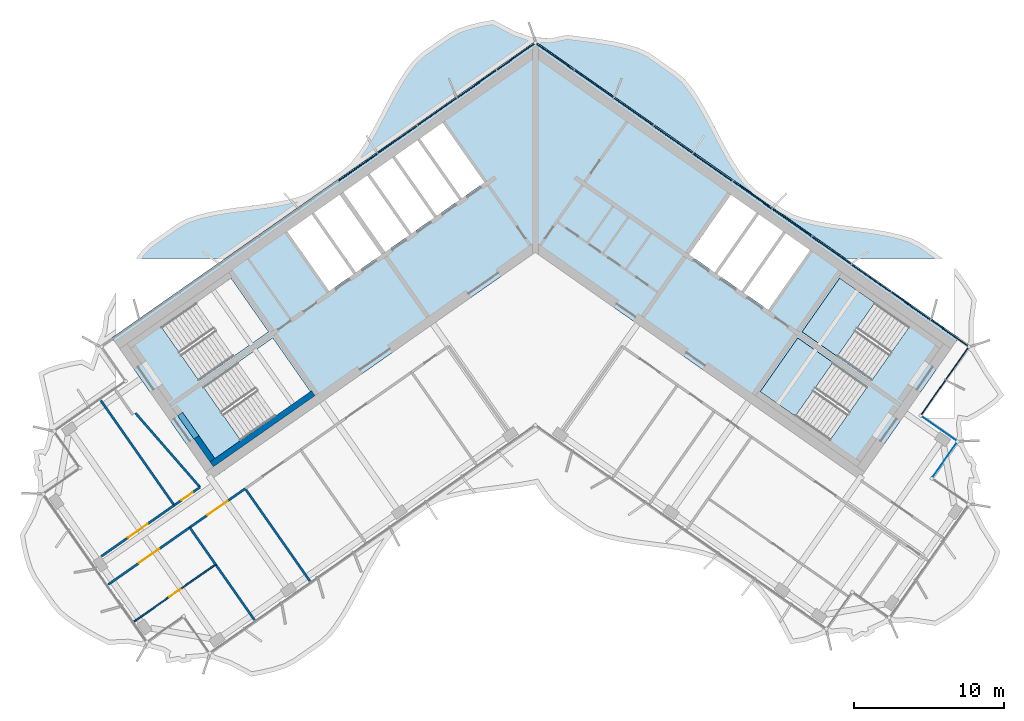
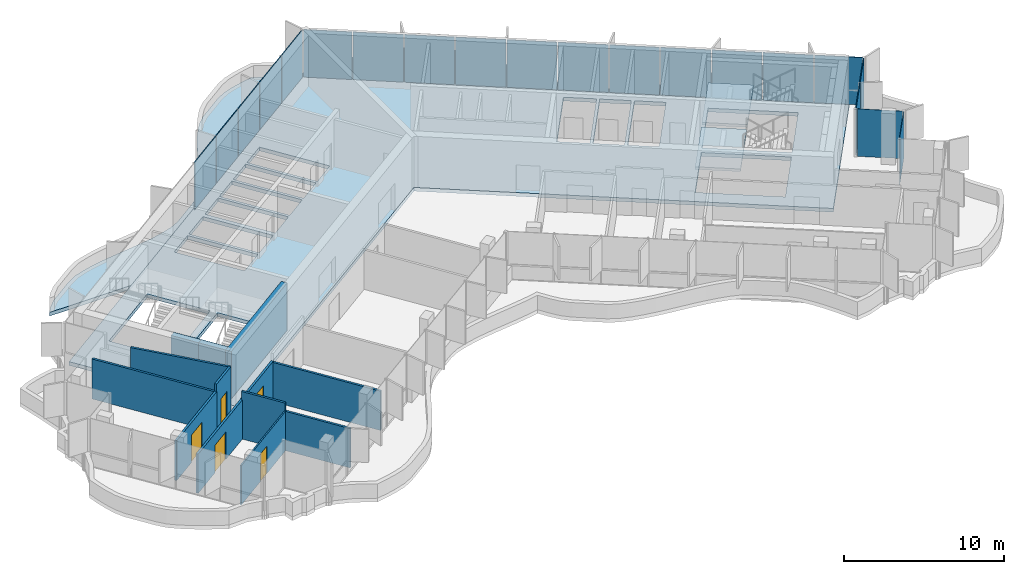
# One storey, part 8 of 17: 20 plates, 13 walls, 5 doors, 4 slabs, 5 openings, 4 elements without a shape of their own.
"""IFC4 building model written with IfcOpenShell, lengths in metres."""

from ifc_helpers import new_model, si_unit, direction, frame, frame_2d, origin, origin_2d, place, context, subcontext, project, spatial, polyline, rectangle, outline, extrude, material, layer, layer_set, type_object, element, fill, aggregate, save


model = new_model("IFC4")

# Units and contexts
model_context = context("Model", 3, precision=1e-05, world=origin(), true_north=direction((0.0, 1.0)))
body_context = subcontext(model_context, "Body", "Model", "MODEL_VIEW")
ifc_project = project(units=[si_unit("LENGTHUNIT", "METRE"), si_unit("AREAUNIT", "SQUARE_METRE"), si_unit("VOLUMEUNIT", "CUBIC_METRE"), si_unit("PLANEANGLEUNIT", "RADIAN"), si_unit("MASSUNIT", "GRAM", prefix="KILO")], contexts=[model_context])

# Site, building, storey
site_placement = place(None, origin())
site = spatial("IfcSite", under=ifc_project, at=site_placement, CompositionType="ELEMENT")
building_placement = place(site_placement, origin())
building = spatial("IfcBuilding", under=site, at=building_placement, Name="Tel Ilan Convention Tower", CompositionType="ELEMENT")
storey_placement = place(building_placement, frame((0.0, 0.0, 276.10009765625)))
storey = spatial("IfcBuildingStorey", under=building, at=storey_placement, Name="L65", CompositionType="ELEMENT", Elevation=276.10009765625)

# Curtain wall, plates
ifc_material_1 = material(Name="Aluminium, bronze anodised", Category="aluminium")
curtain_wall_type_1 = type_object("IfcCurtainWallType", Name="CW2 STICK CURTAIN WALL, SPANDREL PANELS", PredefinedType="NOTDEFINED", material=ifc_material_1)
curtain_wall_1_placement = place(storey_placement, origin())
curtain_wall_1 = element("IfcCurtainWall", 1, at=curtain_wall_1_placement, inside=storey, type_object=curtain_wall_type_1, Name="Curtain wall CW2-50.01", PredefinedType="NOTDEFINED")
ifc_material_2 = material(Name="Aluminium composite panel, bronze anodised", Category="aluminium")
ifc_layer_1 = layer(ifc_material_2, 0.06005859375)
ifc_layer_set_1 = layer_set([ifc_layer_1], Name="CW SPANDREL PANEL 60")
plate_type_1 = type_object("IfcPlateType", Name="CW SPANDREL PANEL 60", PredefinedType="CURTAIN_PANEL", material=ifc_layer_set_1)
plate_1_placement = place(storey_placement, frame((26.45947265625, -10.85400390625, -0.000244140625), z_axis=(0.0, 0.0, 1.0), x_axis=(0.573576436351, 0.819152044289, 0.0)))
plate_1 = element("IfcPlate", 2, at=plate_1_placement, type_object=plate_type_1, Name="Spandrel panel", PredefinedType="CURTAIN_PANEL", context=body_context, shape_type="SweptSolid", body=[
    extrude(rectangle(XDim=2.76904296875, YDim=0.06005859375, at=origin_2d()), origin(), (0.0, 0.0, 1.0), 3.6201171875),
])
plate_2_placement = place(storey_placement, frame((28.042236328125, -8.593505859375, -0.000244140625), z_axis=(0.0, 0.0, 1.0), x_axis=(0.573576436351, 0.819152044289, 0.0)))
plate_2 = element("IfcPlate", 3, at=plate_2_placement, type_object=plate_type_1, Name="Spandrel panel", PredefinedType="CURTAIN_PANEL", context=body_context, shape_type="SweptSolid", body=[
    extrude(rectangle(XDim=2.6298828125, YDim=0.06005859375, at=origin_2d()), origin(), (0.0, 0.0, 1.0), 3.6201171875),
])
plate_3_placement = place(storey_placement, frame((27.5400390625, -6.587646484375, -0.000244140625), z_axis=(0.0, 0.0, 1.0), x_axis=(-0.819152044289, 0.573576436351, 0.0)))
plate_3 = element("IfcPlate", 4, at=plate_3_placement, type_object=plate_type_1, Name="Spandrel panel", PredefinedType="CURTAIN_PANEL", context=body_context, shape_type="SweptSolid", body=[
    extrude(rectangle(XDim=3.0439453125, YDim=0.06005859375, at=origin_2d()), origin(), (0.0, 0.0, 1.0), 3.6201171875),
])
plate_4_placement = place(storey_placement, frame((24.95263671875, -4.77587890625, -0.000244140625), z_axis=(0.0, 0.0, 1.0), x_axis=(-0.819152044289, 0.573576436351, 0.0)))
plate_4 = element("IfcPlate", 5, at=plate_4_placement, type_object=plate_type_1, Name="Spandrel panel", PredefinedType="CURTAIN_PANEL", context=body_context, shape_type="SweptSolid", body=[
    extrude(rectangle(XDim=3.15380859375, YDim=0.06005859375, at=origin_2d()), origin(), (0.0, 0.0, 1.0), 3.6201171875),
])
plate_5_placement = place(storey_placement, frame((22.31982421875, -2.9326171875, -0.000244140625), z_axis=(0.0, 0.0, 1.0), x_axis=(-0.819152044289, 0.573576436351, 0.0)))
plate_5 = element("IfcPlate", 6, at=plate_5_placement, type_object=plate_type_1, Name="Spandrel panel", PredefinedType="CURTAIN_PANEL", context=body_context, shape_type="SweptSolid", body=[
    extrude(rectangle(XDim=3.15380859375, YDim=0.06005859375, at=origin_2d()), origin(), (0.0, 0.0, 1.0), 3.6201171875),
])
plate_6_placement = place(storey_placement, frame((19.687255859375, -1.089111328125, -0.000244140625), z_axis=(0.0, 0.0, 1.0), x_axis=(-0.819152044289, 0.573576436351, 0.0)))
plate_6 = element("IfcPlate", 7, at=plate_6_placement, type_object=plate_type_1, Name="Spandrel panel", PredefinedType="CURTAIN_PANEL", context=body_context, shape_type="SweptSolid", body=[
    extrude(rectangle(XDim=3.15380859375, YDim=0.06005859375, at=origin_2d()), origin(), (0.0, 0.0, 1.0), 3.6201171875),
])
plate_7_placement = place(storey_placement, frame((17.0546875, 0.754150390625, -0.000244140625), z_axis=(0.0, 0.0, 1.0), x_axis=(-0.819152044289, 0.573576436351, 0.0)))
plate_7 = element("IfcPlate", 8, at=plate_7_placement, type_object=plate_type_1, Name="Spandrel panel", PredefinedType="CURTAIN_PANEL", context=body_context, shape_type="SweptSolid", body=[
    extrude(rectangle(XDim=3.15380859375, YDim=0.06005859375, at=origin_2d()), origin(), (0.0, 0.0, 1.0), 3.6201171875),
])
plate_8_placement = place(storey_placement, frame((14.422119140625, 2.59765625, -0.000244140625), z_axis=(0.0, 0.0, 1.0), x_axis=(-0.819152044289, 0.573576436351, 0.0)))
plate_8 = element("IfcPlate", 9, at=plate_8_placement, type_object=plate_type_1, Name="Spandrel panel", PredefinedType="CURTAIN_PANEL", context=body_context, shape_type="SweptSolid", body=[
    extrude(rectangle(XDim=3.15380859375, YDim=0.06005859375, at=origin_2d()), origin(), (0.0, 0.0, 1.0), 3.6201171875),
])
plate_9_placement = place(storey_placement, frame((11.789306640625, 4.44091796875, -0.000244140625), z_axis=(0.0, 0.0, 1.0), x_axis=(-0.819152044289, 0.573576436351, 0.0)))
plate_9 = element("IfcPlate", 10, at=plate_9_placement, type_object=plate_type_1, Name="Spandrel panel", PredefinedType="CURTAIN_PANEL", context=body_context, shape_type="SweptSolid", body=[
    extrude(rectangle(XDim=3.15380859375, YDim=0.06005859375, at=origin_2d()), origin(), (0.0, 0.0, 1.0), 3.6201171875),
])
plate_10_placement = place(storey_placement, frame((9.15673828125, 6.284423828125, -0.000244140625), z_axis=(0.0, 0.0, 1.0), x_axis=(-0.819152044289, 0.573576436351, 0.0)))
plate_10 = element("IfcPlate", 11, at=plate_10_placement, type_object=plate_type_1, Name="Spandrel panel", PredefinedType="CURTAIN_PANEL", context=body_context, shape_type="SweptSolid", body=[
    extrude(rectangle(XDim=3.15380859375, YDim=0.06005859375, at=origin_2d()), origin(), (0.0, 0.0, 1.0), 3.6201171875),
])
plate_11_placement = place(storey_placement, frame((6.524169921875, 8.127685546875, -0.000244140625), z_axis=(0.0, 0.0, 1.0), x_axis=(-0.819152044289, 0.573576436351, 0.0)))
plate_11 = element("IfcPlate", 12, at=plate_11_placement, type_object=plate_type_1, Name="Spandrel panel", PredefinedType="CURTAIN_PANEL", context=body_context, shape_type="SweptSolid", body=[
    extrude(rectangle(XDim=3.15380859375, YDim=0.06005859375, at=origin_2d()), origin(), (0.0, 0.0, 1.0), 3.6201171875),
])
plate_12_placement = place(storey_placement, frame((3.8916015625, 9.97119140625, -0.000244140625), z_axis=(0.0, 0.0, 1.0), x_axis=(-0.819152044289, 0.573576436351, 0.0)))
plate_12 = element("IfcPlate", 13, at=plate_12_placement, type_object=plate_type_1, Name="Spandrel panel", PredefinedType="CURTAIN_PANEL", context=body_context, shape_type="SweptSolid", body=[
    extrude(rectangle(XDim=3.15380859375, YDim=0.06005859375, at=origin_2d()), origin(), (0.0, 0.0, 1.0), 3.6201171875),
])
plate_13_placement = place(storey_placement, frame((1.303955078125, 11.782958984375, -0.000244140625), z_axis=(0.0, 0.0, 1.0), x_axis=(-0.819152044289, 0.573576436351, 0.0)))
plate_13 = element("IfcPlate", 14, at=plate_13_placement, type_object=plate_type_1, Name="Spandrel panel", PredefinedType="CURTAIN_PANEL", context=body_context, shape_type="SweptSolid", body=[
    extrude(rectangle(XDim=3.0439453125, YDim=0.06005859375, at=origin_2d()), origin(), (0.0, 0.0, 1.0), 3.6201171875),
])
plate_14_placement = place(storey_placement, frame((-1.303955078125, 11.782958984375, -0.000244140625), z_axis=(0.0, 0.0, 1.0), x_axis=(-0.819152044289, -0.573576436351, 0.0)))
plate_14 = element("IfcPlate", 15, at=plate_14_placement, type_object=plate_type_1, Name="Spandrel panel", PredefinedType="CURTAIN_PANEL", context=body_context, shape_type="SweptSolid", body=[
    extrude(rectangle(XDim=3.0439453125, YDim=0.06005859375, at=origin_2d()), origin(), (0.0, 0.0, 1.0), 3.6201171875),
])
plate_15_placement = place(storey_placement, frame((-3.8916015625, 9.97119140625, -0.000244140625), z_axis=(0.0, 0.0, 1.0), x_axis=(-0.819152044289, -0.573576436351, 0.0)))
plate_15 = element("IfcPlate", 16, at=plate_15_placement, type_object=plate_type_1, Name="Spandrel panel", PredefinedType="CURTAIN_PANEL", context=body_context, shape_type="SweptSolid", body=[
    extrude(rectangle(XDim=3.15380859375, YDim=0.06005859375, at=origin_2d()), origin(), (0.0, 0.0, 1.0), 3.6201171875),
])
plate_16_placement = place(storey_placement, frame((-6.524169921875, 8.127685546875, -0.000244140625), z_axis=(0.0, 0.0, 1.0), x_axis=(-0.819152044289, -0.573576436351, 0.0)))
plate_16 = element("IfcPlate", 17, at=plate_16_placement, type_object=plate_type_1, Name="Spandrel panel", PredefinedType="CURTAIN_PANEL", context=body_context, shape_type="SweptSolid", body=[
    extrude(rectangle(XDim=3.15380859375, YDim=0.06005859375, at=origin_2d()), origin(), (0.0, 0.0, 1.0), 3.6201171875),
])
plate_17_placement = place(storey_placement, frame((-9.15673828125, 6.284423828125, -0.000244140625), z_axis=(0.0, 0.0, 1.0), x_axis=(-0.819152044289, -0.573576436351, 0.0)))
plate_17 = element("IfcPlate", 18, at=plate_17_placement, type_object=plate_type_1, Name="Spandrel panel", PredefinedType="CURTAIN_PANEL", context=body_context, shape_type="SweptSolid", body=[
    extrude(rectangle(XDim=3.15380859375, YDim=0.06005859375, at=origin_2d()), origin(), (0.0, 0.0, 1.0), 3.6201171875),
])
plate_18_placement = place(storey_placement, frame((-11.789306640625, 4.44091796875, -0.000244140625), z_axis=(0.0, 0.0, 1.0), x_axis=(-0.819152044289, -0.573576436351, 0.0)))
plate_18 = element("IfcPlate", 19, at=plate_18_placement, type_object=plate_type_1, Name="Spandrel panel", PredefinedType="CURTAIN_PANEL", context=body_context, shape_type="SweptSolid", body=[
    extrude(rectangle(XDim=3.15380859375, YDim=0.06005859375, at=origin_2d()), origin(), (0.0, 0.0, 1.0), 3.6201171875),
])
aggregate(curtain_wall_1, [plate_1, plate_2, plate_3, plate_4, plate_5, plate_6, plate_7, plate_8, plate_9, plate_10, plate_11, plate_12, plate_13, plate_14, plate_15, plate_16, plate_17, plate_18])

ifc_material_3 = material(Name="Aluminium, bronze anodised", Category="aluminium")
curtain_wall_type_2 = type_object("IfcCurtainWallType", Name="CW5 STICK CURTAIN WALL, UPPER OFFICE LOW-IRON TINTED GLASS", PredefinedType="NOTDEFINED", material=ifc_material_3)
curtain_wall_2_placement = place(storey_placement, origin())
curtain_wall_2 = element("IfcCurtainWall", 20, at=curtain_wall_2_placement, inside=storey, type_object=curtain_wall_type_2, Name="Curtain wall CW5-50.02", PredefinedType="NOTDEFINED")
ifc_material_4 = material(Name="Glass, low-iron bronze tinted, two-ply", Category="glass")
ifc_layer_2 = layer(ifc_material_4, 0.031982421875)
ifc_layer_set_2 = layer_set([ifc_layer_2], Name="CW UPPER GLASS PANEL 32")
plate_type_2 = type_object("IfcPlateType", Name="CW UPPER GLASS PANEL 32", PredefinedType="CURTAIN_PANEL", material=ifc_layer_set_2)
plate_19_placement = place(storey_placement, frame((27.2265625, -14.98876953125, -0.000244140625), z_axis=(0.0, 0.0, 1.0), x_axis=(0.573576436351, 0.819152044289, 0.0)))
plate_19 = element("IfcPlate", 21, at=plate_19_placement, type_object=plate_type_2, Name="Glass panel", PredefinedType="CURTAIN_PANEL", context=body_context, shape_type="SweptSolid", body=[
    extrude(rectangle(XDim=2.875, YDim=0.028076171875, at=origin_2d()), origin(), (0.0, 0.0, 1.0), 3.6201171875),
])
plate_20_placement = place(storey_placement, frame((26.86767578125, -12.953369140625, -0.000244140625), z_axis=(0.0, 0.0, 1.0), x_axis=(-0.819152044289, 0.573576436351, 0.0)))
plate_20 = element("IfcPlate", 22, at=plate_20_placement, type_object=plate_type_2, Name="Glass panel", PredefinedType="CURTAIN_PANEL", context=body_context, shape_type="SweptSolid", body=[
    extrude(rectangle(XDim=2.875, YDim=0.028076171875, at=origin_2d()), origin(), (0.0, 0.0, 1.0), 3.6201171875),
])
aggregate(curtain_wall_2, [plate_19, plate_20])

# Stair, slab
ifc_material_5 = material(Name="Concrete C40/50", Category="concrete")
stair_type = type_object("IfcStairType", Name="Pressurised Exit Stair 22 risers 177 mm", PredefinedType="HALF_TURN_STAIR", material=ifc_material_5)
stair_1_placement = place(storey_placement, origin())
stair_1 = element("IfcStair", 23, at=stair_1_placement, inside=storey, type_object=stair_type, Name="L65 Pressurised Stair S3", PredefinedType="HALF_TURN_STAIR")
ifc_material_6 = material(Name="Concrete C40/50", Category="concrete")
ifc_layer_3 = layer(ifc_material_6, 0.199951171875)
ifc_layer_set_3 = layer_set([ifc_layer_3], Name="Concrete Stair Landing 200 mm C40/50")
slab_type_1 = type_object("IfcSlabType", Name="Concrete Stair Landing 200 mm", PredefinedType="LANDING", material=ifc_layer_set_3)
slab_1_placement = place(storey_placement, frame((0.0, 0.0, 1.75)))
slab_1 = element("IfcSlab", 24, at=slab_1_placement, type_object=slab_type_1, Name="S3 landing 1", PredefinedType="LANDING", context=body_context, shape_type="SweptSolid", body=[
    extrude(outline(polyline([(22.561767578125, -4.566650390625), (20.226318359375, -2.931640625), (17.7314453125, -6.494873046875), (20.066650390625, -8.130126953125), (22.561767578125, -4.566650390625)])), origin(), (0.0, 0.0, 1.0), 0.199951171875),
])
aggregate(stair_1, [slab_1])

stair_2_placement = place(storey_placement, origin())
stair_2 = element("IfcStair", 25, at=stair_2_placement, inside=storey, type_object=stair_type, Name="L65 Pressurised Stair S4", PredefinedType="HALF_TURN_STAIR")
slab_2_placement = place(storey_placement, frame((0.0, 0.0, 1.75)))
slab_2 = element("IfcSlab", 26, at=slab_2_placement, type_object=slab_type_1, Name="S4 landing 1", PredefinedType="LANDING", context=body_context, shape_type="SweptSolid", body=[
    extrude(outline(polyline([(19.77978515625, -8.53955078125), (17.444580078125, -6.904541015625), (14.949462890625, -10.4677734375), (17.28466796875, -12.10302734375), (19.77978515625, -8.53955078125)])), origin(), (0.0, 0.0, 1.0), 0.199951171875),
])
aggregate(stair_2, [slab_2])

# Slabs
ifc_material_7 = material(Name="Concrete C40/50", Category="concrete")
ifc_layer_4 = layer(ifc_material_7, 0.280029296875)
ifc_layer_set_4 = layer_set([ifc_layer_4], Name="Core Floor Slab 280 mm C40/50")
slab_type_2 = type_object("IfcSlabType", Name="Core Floor Slab 280 mm C40/50", PredefinedType="FLOOR", material=ifc_layer_set_4)
slab_3_placement = place(storey_placement, frame((0.0, 0.0, -0.280029296875)))
element("IfcSlab", 27, at=slab_3_placement, inside=storey, type_object=slab_type_2, Name="L65 core floor 1", PredefinedType="FLOOR", context=body_context, shape_type="SweptSolid", body=[
    extrude(outline(polyline([(0.0, 12.818115234375), (28.1396484375, -6.885498046875), (21.54345703125, -16.3056640625), (0.0, -1.220703125), (-21.54345703125, -16.3056640625), (-28.1396484375, -6.885498046875), (-13.013916015625, 3.705810546875), (-6.48876953125, 8.274658203125), (-4.6650390625, 9.5517578125), (-0.2412109375, 12.6494140625), (0.0, 12.818115234375)]), holes=[polyline([(-17.444580078125, -6.904541015625), (-22.072021484375, -10.144775390625), (-19.5771484375, -13.7080078125), (-14.949462890625, -10.4677734375), (-17.444580078125, -6.904541015625)]), polyline([(-17.7314453125, -6.494873046875), (-20.226318359375, -2.931640625), (-24.85400390625, -6.171875), (-22.35888671875, -9.735107421875), (-17.7314453125, -6.494873046875)]), polyline([(-14.864990234375, 1.310791015625), (-16.48291015625, 0.177978515625), (-13.701171875, -3.794921875), (-12.083251953125, -2.662109375), (-14.864990234375, 1.310791015625)]), polyline([(-14.701416015625, 1.425537109375), (-11.91943359375, -2.54736328125), (-10.2197265625, -1.357421875), (-13.001708984375, 2.615478515625), (-14.701416015625, 1.425537109375)]), polyline([(-11.168701171875, 3.89892578125), (-12.755859375, 2.78759765625), (-9.97412109375, -1.185302734375), (-8.386962890625, -0.073974609375), (-11.168701171875, 3.89892578125)]), polyline([(-9.499755859375, 5.067626953125), (-11.0048828125, 4.013671875), (-8.222900390625, 0.040771484375), (-6.718017578125, 1.0947265625), (-9.499755859375, 5.067626953125)]), polyline([(-9.3359375, 5.182373046875), (-6.553955078125, 1.20947265625), (-5.048828125, 2.263427734375), (-7.830810546875, 6.236328125), (-9.3359375, 5.182373046875)]), polyline([(17.444580078125, -6.904541015625), (14.949462890625, -10.4677734375), (19.5771484375, -13.7080078125), (22.072021484375, -10.144775390625), (17.444580078125, -6.904541015625)]), polyline([(20.226318359375, -2.931640625), (17.7314453125, -6.494873046875), (22.35888671875, -9.735107421875), (24.85400390625, -6.171875), (20.226318359375, -2.931640625)]), polyline([(15.48291015625, -5.04248046875), (18.2646484375, -1.069580078125), (16.646728515625, 0.063232421875), (13.864990234375, -3.90966796875), (15.48291015625, -5.04248046875)]), polyline([(13.701171875, -3.794921875), (16.48291015625, 0.177978515625), (14.864990234375, 1.310791015625), (12.083251953125, -2.662109375), (13.701171875, -3.794921875)]), polyline([(11.91943359375, -2.54736328125), (14.701416015625, 1.425537109375), (13.001708984375, 2.615478515625), (10.2197265625, -1.357421875), (11.91943359375, -2.54736328125)]), polyline([(-6.16162109375, 7.405029296875), (-7.666748046875, 6.35107421875), (-4.885009765625, 2.378173828125), (-3.3798828125, 3.43212890625), (-6.16162109375, 7.405029296875)])]), origin(), (0.0, 0.0, 1.0), 0.280029296875),
])
ifc_material_8 = material(Name="Concrete C40/50", Category="concrete")
ifc_layer_5 = layer(ifc_material_8, 0.280029296875)
ifc_layer_set_5 = layer_set([ifc_layer_5], Name="Edge Ledge Slab 280 mm C40/50")
slab_type_3 = type_object("IfcSlabType", Name="Edge Ledge Slab 280 mm C40/50", PredefinedType="FLOOR", material=ifc_layer_set_5)
slab_4_placement = place(storey_placement, frame((0.0, 0.0, -0.280029296875)))
element("IfcSlab", 28, at=slab_4_placement, inside=storey, type_object=slab_type_3, Name="L65 edge ledge 2", PredefinedType="FLOOR", context=body_context, shape_type="SweptSolid", body=[
    extrude(outline(polyline([(-23.1982421875, 1.006591796875), (-22.4697265625, 1.250244140625), (-21.705322265625, 1.44287109375), (-20.91259765625, 1.594482421875), (-20.099365234375, 1.71728515625), (-19.275146484375, 1.824462890625), (-18.44970703125, 1.9296875), (-17.6328125, 2.047119140625), (-16.833984375, 2.18994140625), (-16.0615234375, 2.37109375), (-15.3232421875, 2.6005859375), (-14.651611328125, 2.92529296875), (-12.841552734375, 4.192626953125), (-12.284912109375, 4.681640625), (-11.809326171875, 5.28662109375), (-11.369140625, 5.94189453125), (-10.956787109375, 6.63720703125), (-10.564453125, 7.36083984375), (-10.182373046875, 8.09912109375), (-9.80078125, 8.83837890625), (-9.410400390625, 9.564697265625), (-9.001220703125, 10.264404296875), (-8.56494140625, 10.925537109375), (-8.094482421875, 11.53759765625), (-7.552001953125, 12.047119140625), (-5.7421875, 13.314208984375), (-5.0849609375, 13.66015625), (-4.3515625, 13.896484375), (-3.5830078125, 14.083251953125), (-2.785888671875, 14.228515625), (-1.357666015625, 13.472900390625), (-0.172119140625, 13.06396484375), (-0.168701171875, 13.05908203125), (-0.11474609375, 13.09521484375), (0.0, 13.1181640625), (0.11474609375, 13.09521484375), (0.168701171875, 13.05908203125), (0.172119140625, 13.06396484375), (1.02001953125, 12.99072265625), (2.08935546875, 13.234130859375), (2.913818359375, 13.12744140625), (3.739501953125, 13.0224609375), (4.55712890625, 12.90625), (5.357666015625, 12.765380859375), (6.132080078125, 12.587158203125), (6.872802734375, 12.361083984375), (7.552001953125, 12.047119140625), (9.36181640625, 10.77978515625), (9.925537109375, 10.300537109375), (10.403564453125, 9.69921875), (10.845947265625, 9.046875), (11.259521484375, 8.353515625), (11.653076171875, 7.631591796875), (12.035400390625, 6.893798828125), (12.416748046875, 6.154052734375), (12.806396484375, 5.426513671875), (13.214111328125, 4.724609375), (13.648193359375, 4.060791015625), (14.116455078125, 3.4453125), (14.651611328125, 2.92529296875), (16.46142578125, 1.657958984375), (17.111328125, 1.30224609375), (17.84228515625, 1.062255859375), (18.60888671875, 0.87255859375), (19.4033203125, 0.72314453125), (20.21728515625, 0.601806640625), (21.0419921875, 0.495361328125), (21.8671875, 0.3896484375), (22.68310546875, 0.27099609375), (23.480712890625, 0.1259765625), (24.2509765625, -0.057861328125), (24.987060546875, -0.290771484375), (25.6513671875, -0.626220703125), (27.087158203125, -1.631591796875), (20.63623046875, -1.631591796875), (0.0, 12.818115234375), (-20.63623046875, -1.631591796875), (-26.535888671875, -1.631591796875), (-26.1787109375, -1.156982421875), (-25.6513671875, -0.626220703125), (-23.84130859375, 0.64111328125), (-23.1982421875, 1.006591796875)])), origin(), (0.0, 0.0, 1.0), 0.280029296875),
])

# Wall, opening, door
ifc_material_9 = material(Name="Plasterboard on Steel Studs", Category="steel")
ifc_layer_6 = layer(ifc_material_9, 0.14990234375)
ifc_layer_set_6 = layer_set([ifc_layer_6], Name="Fire-rated Partition 150 EI 60")
wall_type_1 = type_object("IfcWallType", Name="Fire-rated Partition 150 EI 60", PredefinedType="PARTITIONING", material=ifc_layer_set_6)
wall_1_placement = place(storey_placement, frame((-24.002685546875, -18.027587890625, 0.0), z_axis=(0.0, 0.0, 1.0), x_axis=(0.819182738768, 0.573532597595, 0.0)))
wall_1 = element("IfcWall", 29, at=wall_1_placement, inside=storey, type_object=wall_type_1, Name="Partition 007", PredefinedType="PARTITIONING", context=body_context, shape_type="SweptSolid", body=[
    extrude(rectangle(XDim=2.09912109375, YDim=0.14990234375, at=frame_2d((1.049560546875, 0.0))), origin(), (0.0, 0.0, 1.0), 3.619873046875),
])
opening_1_placement = place(wall_1_placement, frame((0.599609375, 0.0, 0.0)))
opening_1 = element("IfcOpeningElement", 30, at=opening_1_placement, cuts=wall_1, Name="Opening L65-007", PredefinedType="OPENING", context=body_context, shape_type="SweptSolid", body=[
    extrude(rectangle(XDim=0.89990234375, YDim=2.10009765625, at=frame_2d((0.449951171875, 1.050048828125))), frame((0.0, 0.0849609375, 0.0), z_axis=(0.0, -1.0, 0.0), x_axis=(1.0, 0.0, 0.0)), (0.0, 0.0, 1.0), 0.169921875),
])
ifc_material_10 = material(Name="Timber Door Leaf in Steel Frame", Category="steel")
door_type_1 = type_object("IfcDoorType", Name="Room Fire Door 900x2100", OperationType="NOTDEFINED", PredefinedType="DOOR", material=ifc_material_10)
door_1_placement = place(opening_1_placement, origin())
door_1 = element("IfcDoor", 31, at=door_1_placement, inside=storey, type_object=door_type_1, Name="Door L65-007", OperationType="SINGLE_SWING_LEFT", OverallHeight=2.10009765625, OverallWidth=0.89990234375, PredefinedType="DOOR", context=body_context, shape_type="SweptSolid", body=[
    extrude(rectangle(XDim=0.89990234375, YDim=2.10009765625, at=frame_2d((0.449951171875, 1.050048828125))), frame((0.0, 0.02490234375, 0.0), z_axis=(0.0, -1.0, 0.0), x_axis=(1.0, 0.0, 0.0)), (0.0, 0.0, 1.0), 0.050048828125),
])
fill(opening_1, door_1)

wall_2_placement = place(storey_placement, frame((-28.833984375, -21.41064453125, 0.0), z_axis=(0.0, 0.0, 1.0), x_axis=(0.819156123335, 0.573570610825, 0.0)))
wall_2 = element("IfcWall", 32, at=wall_2_placement, inside=storey, type_object=wall_type_1, Name="Partition 008", PredefinedType="PARTITIONING", context=body_context, shape_type="SweptSolid", body=[
    extrude(rectangle(XDim=5.902099609375, YDim=0.14990234375, at=frame_2d((2.951171875, 0.0))), origin(), (0.0, 0.0, 1.0), 3.0498046875),
])
opening_2_placement = place(wall_2_placement, frame((2.15087890625, 0.0, 0.0)))
opening_2 = element("IfcOpeningElement", 33, at=opening_2_placement, cuts=wall_2, Name="Opening L65-008", PredefinedType="OPENING", context=body_context, shape_type="SweptSolid", body=[
    extrude(rectangle(XDim=1.60009765625, YDim=2.10009765625, at=frame_2d((0.800048828125, 1.050048828125))), frame((0.0, 0.0849609375, 0.0), z_axis=(0.0, -1.0, 0.0), x_axis=(1.0, 0.0, 0.0)), (0.0, 0.0, 1.0), 0.169921875),
])
ifc_material_11 = material(Name="Timber Door Leaf in Steel Frame", Category="steel")
door_type_2 = type_object("IfcDoorType", Name="Tenant Suite Entrance Fire Door 1600x2100", OperationType="NOTDEFINED", PredefinedType="DOOR", material=ifc_material_11)
door_2_placement = place(opening_2_placement, origin())
door_2 = element("IfcDoor", 34, at=door_2_placement, inside=storey, type_object=door_type_2, Name="Door L65-008", OperationType="DOUBLE_DOOR_SINGLE_SWING", OverallHeight=2.10009765625, OverallWidth=1.60009765625, PredefinedType="DOOR", context=body_context, shape_type="SweptSolid", body=[
    extrude(rectangle(XDim=1.60009765625, YDim=2.10009765625, at=frame_2d((0.800048828125, 1.050048828125))), frame((0.0, 0.02490234375, 0.0), z_axis=(0.0, -1.0, 0.0), x_axis=(1.0, 0.0, 0.0)), (0.0, 0.0, 1.0), 0.050048828125),
])
fill(opening_2, door_2)

wall_3_placement = place(storey_placement, frame((-19.28076171875, -16.918701171875, 0.0), z_axis=(0.0, 0.0, 1.0), x_axis=(-0.819140235121, -0.573593301221, 0.0)))
wall_3 = element("IfcWall", 35, at=wall_3_placement, inside=storey, type_object=wall_type_1, Name="Partition 012", PredefinedType="PARTITIONING", context=body_context, shape_type="SweptSolid", body=[
    extrude(rectangle(XDim=4.504150390625, YDim=0.14990234375, at=frame_2d((2.251953125, 0.0))), origin(), (0.0, 0.0, 1.0), 3.0498046875),
])
opening_3_placement = place(wall_3_placement, frame((1.451904296875, 0.0, 0.0)))
opening_3 = element("IfcOpeningElement", 36, at=opening_3_placement, cuts=wall_3, Name="Opening L65-004", PredefinedType="OPENING", context=body_context, shape_type="SweptSolid", body=[
    extrude(rectangle(XDim=1.60009765625, YDim=2.10009765625, at=frame_2d((0.800048828125, 1.050048828125))), frame((0.0, 0.0849609375, 0.0), z_axis=(0.0, -1.0, 0.0), x_axis=(1.0, 0.0, 0.0)), (0.0, 0.0, 1.0), 0.169921875),
])
door_3_placement = place(opening_3_placement, origin())
door_3 = element("IfcDoor", 37, at=door_3_placement, inside=storey, type_object=door_type_2, Name="Door L65-004", OperationType="DOUBLE_DOOR_SINGLE_SWING", OverallHeight=2.10009765625, OverallWidth=1.60009765625, PredefinedType="DOOR", context=body_context, shape_type="SweptSolid", body=[
    extrude(rectangle(XDim=1.60009765625, YDim=2.10009765625, at=frame_2d((0.800048828125, 1.050048828125))), frame((0.0, 0.02490234375, 0.0), z_axis=(0.0, -1.0, 0.0), x_axis=(1.0, 0.0, 0.0)), (0.0, 0.0, 1.0), 0.050048828125),
])
fill(opening_3, door_3)

wall_4_placement = place(storey_placement, frame((-22.966796875, -19.499755859375, 0.0), z_axis=(0.0, 0.0, 1.0), x_axis=(-0.81915199888, -0.573576501202, 0.0)))
wall_4 = element("IfcWall", 38, at=wall_4_placement, inside=storey, type_object=wall_type_1, Name="Partition 013", PredefinedType="PARTITIONING", context=body_context, shape_type="SweptSolid", body=[
    extrude(rectangle(XDim=6.602294921875, YDim=0.14990234375, at=frame_2d((3.30126953125, 0.0))), origin(), (0.0, 0.0, 1.0), 3.0),
])
opening_4_placement = place(wall_4_placement, frame((2.5009765625, 0.0, 0.0)))
opening_4 = element("IfcOpeningElement", 39, at=opening_4_placement, cuts=wall_4, Name="Opening L65-005", PredefinedType="OPENING", context=body_context, shape_type="SweptSolid", body=[
    extrude(rectangle(XDim=1.60009765625, YDim=2.10009765625, at=frame_2d((0.800048828125, 1.050048828125))), frame((0.0, 0.0849609375, 0.0), z_axis=(0.0, -1.0, 0.0), x_axis=(1.0, 0.0, 0.0)), (0.0, 0.0, 1.0), 0.169921875),
])
door_4_placement = place(opening_4_placement, origin())
door_4 = element("IfcDoor", 40, at=door_4_placement, inside=storey, type_object=door_type_2, Name="Door L65-005", OperationType="DOUBLE_DOOR_SINGLE_SWING", OverallHeight=2.10009765625, OverallWidth=1.60009765625, PredefinedType="DOOR", context=body_context, shape_type="SweptSolid", body=[
    extrude(rectangle(XDim=1.60009765625, YDim=2.10009765625, at=frame_2d((0.800048828125, 1.050048828125))), frame((0.0, 0.02490234375, 0.0), z_axis=(0.0, -1.0, 0.0), x_axis=(1.0, 0.0, 0.0)), (0.0, 0.0, 1.0), 0.050048828125),
])
fill(opening_4, door_4)

# Walls
wall_5_placement = place(storey_placement, frame((-22.28369140625, -16.826416015625, 0.0), z_axis=(0.0, 0.0, 1.0), x_axis=(-0.656758142177, 0.754101281449, 0.0)))
element("IfcWall", 41, at=wall_5_placement, inside=storey, type_object=wall_type_1, Name="Partition 023", PredefinedType="PARTITIONING", context=body_context, shape_type="SweptSolid", body=[
    extrude(rectangle(XDim=6.53857421875, YDim=0.14990234375, at=frame_2d((3.269287109375, 0.0))), origin(), (0.0, 0.0, 1.0), 3.619873046875),
])
wall_6_placement = place(storey_placement, frame((-24.0009765625, -18.0263671875, 0.0), z_axis=(0.0, 0.0, 1.0), x_axis=(-0.573591492816, 0.819141501433, 0.0)))
element("IfcWall", 42, at=wall_6_placement, inside=storey, type_object=wall_type_1, Name="Partition 024", PredefinedType="PARTITIONING", context=body_context, shape_type="SweptSolid", body=[
    extrude(rectangle(XDim=8.5, YDim=0.14990234375, at=frame_2d((4.25, 0.0))), origin(), (0.0, 0.0, 1.0), 3.0498046875),
])
wall_7_placement = place(storey_placement, frame((-14.98046875, -23.0634765625, 0.0), z_axis=(0.0, 0.0, 1.0), x_axis=(-0.573597787563, 0.819137093595, 0.0)))
element("IfcWall", 43, at=wall_7_placement, inside=storey, type_object=wall_type_1, Name="Partition 027", PredefinedType="PARTITIONING", context=body_context, shape_type="SweptSolid", body=[
    extrude(rectangle(XDim=7.5, YDim=0.14990234375, at=frame_2d((3.75, 0.0))), origin(), (0.0, 0.0, 1.0), 3.0),
])
wall_8_placement = place(storey_placement, frame((-18.666748046875, -25.64453125, 0.0), z_axis=(0.0, 0.0, 1.0), x_axis=(-0.573556991349, 0.819165659482, 0.0)))
element("IfcWall", 44, at=wall_8_placement, inside=storey, type_object=wall_type_1, Name="Partition 028", PredefinedType="PARTITIONING", context=body_context, shape_type="SweptSolid", body=[
    extrude(rectangle(XDim=4.5009765625, YDim=0.14990234375, at=frame_2d((2.25048828125, 0.0))), origin(), (0.0, 0.0, 1.0), 3.0),
])
wall_9_placement = place(storey_placement, frame((-21.24658203125, -21.9599609375, 0.0), z_axis=(0.0, 0.0, 1.0), x_axis=(-0.573604249862, 0.819132568355, 0.0)))
element("IfcWall", 45, at=wall_9_placement, inside=storey, type_object=wall_type_1, Name="Partition 029", PredefinedType="PARTITIONING", context=body_context, shape_type="SweptSolid", body=[
    extrude(rectangle(XDim=3.001953125, YDim=0.14990234375, at=frame_2d((1.5009765625, 0.0))), origin(), (0.0, 0.0, 1.0), 3.619873046875),
])

# Wall, opening, door
ifc_material_12 = material(Name="Plasterboard on Steel Studs", Category="steel")
ifc_layer_7 = layer(ifc_material_12, 0.10009765625)
ifc_layer_set_7 = layer_set([ifc_layer_7], Name="Plasterboard Partition 100")
wall_type_2 = type_object("IfcWallType", Name="Plasterboard Partition 100", PredefinedType="PARTITIONING", material=ifc_layer_set_7)
wall_10_placement = place(storey_placement, frame((-21.247314453125, -21.959228515625, 0.0), z_axis=(0.0, 0.0, 1.0), x_axis=(-0.819141541656, -0.573591435374, 0.0)))
wall_10 = element("IfcWall", 46, at=wall_10_placement, inside=storey, type_object=wall_type_2, Name="Partition 030", PredefinedType="PARTITIONING", context=body_context, shape_type="SweptSolid", body=[
    extrude(rectangle(XDim=6.599853515625, YDim=0.10009765625, at=frame_2d((3.2998046875, 0.0))), origin(), (0.0, 0.0, 1.0), 3.0),
])
opening_5_placement = place(wall_10_placement, frame((2.85009765625, 0.0, 0.0)))
opening_5 = element("IfcOpeningElement", 47, at=opening_5_placement, cuts=wall_10, Name="Opening L65-006", PredefinedType="OPENING", context=body_context, shape_type="SweptSolid", body=[
    extrude(rectangle(XDim=0.89990234375, YDim=2.10009765625, at=frame_2d((0.449951171875, 1.050048828125))), frame((0.0, 0.06005859375, 0.0), z_axis=(0.0, -1.0, 0.0), x_axis=(1.0, 0.0, 0.0)), (0.0, 0.0, 1.0), 0.1201171875),
])
ifc_material_13 = material(Name="Timber Door Leaf in Steel Frame", Category="steel")
door_type_3 = type_object("IfcDoorType", Name="Room Timber Door 900x2100", OperationType="NOTDEFINED", PredefinedType="DOOR", material=ifc_material_13)
door_5_placement = place(opening_5_placement, origin())
door_5 = element("IfcDoor", 48, at=door_5_placement, inside=storey, type_object=door_type_3, Name="Door L65-006", OperationType="SINGLE_SWING_LEFT", OverallHeight=2.10009765625, OverallWidth=0.89990234375, PredefinedType="DOOR", context=body_context, shape_type="SweptSolid", body=[
    extrude(rectangle(XDim=0.89990234375, YDim=2.10009765625, at=frame_2d((0.449951171875, 1.050048828125))), frame((0.0, 0.02490234375, 0.0), z_axis=(0.0, -1.0, 0.0), x_axis=(1.0, 0.0, 0.0)), (0.0, 0.0, 1.0), 0.050048828125),
])
fill(opening_5, door_5)

# Walls
ifc_material_14 = material(Name="Concrete C30/37", Category="concrete")
ifc_layer_8 = layer(ifc_material_14, 0.39990234375)
ifc_layer_set_8 = layer_set([ifc_layer_8], Name="Stair and Shaft Lining Wall 400 mm C30/37")
wall_type_3 = type_object("IfcWallType", Name="Stair and Shaft Lining Wall 400 mm C30/37", PredefinedType="SOLIDWALL", material=ifc_layer_set_8)
wall_11_placement = place(storey_placement, frame((-14.7529296875, -10.57421875, 0.0), z_axis=(0.0, 0.0, 1.0), x_axis=(-0.819158229677, -0.573567602601, 0.0)))
element("IfcWall", 49, at=wall_11_placement, inside=storey, type_object=wall_type_3, Name="L65 core wall lining-S2-t0", PredefinedType="SOLIDWALL", context=body_context, shape_type="SweptSolid", body=[
    extrude(rectangle(XDim=8.25, YDim=0.39990234375, at=frame_2d((4.125, 0.0))), origin(), (0.0, 0.0, 1.0), 3.619873046875),
])
wall_12_placement = place(storey_placement, frame((-21.4619140625, -15.027587890625, 0.0), z_axis=(0.0, 0.0, 1.0), x_axis=(-0.573559770908, 0.819163713305, 0.0)))
element("IfcWall", 50, at=wall_12_placement, inside=storey, type_object=wall_type_3, Name="L65 core wall lining-S2-u1-0", PredefinedType="SOLIDWALL", context=body_context, shape_type="SweptSolid", body=[
    extrude(rectangle(XDim=1.849853515625, YDim=0.39990234375, at=frame_2d((0.9248046875, 0.0))), origin(), (0.0, 0.0, 1.0), 3.619873046875),
])
wall_13_placement = place(storey_placement, frame((-22.52294921875, -13.51220703125, 2.14990234375), z_axis=(0.0, 0.0, 1.0), x_axis=(-0.573591692345, 0.819141361715, 0.0)))
element("IfcWall", 51, at=wall_13_placement, inside=storey, type_object=wall_type_3, Name="L65 core wall lining-S2-u1-lintel", PredefinedType="SOLIDWALL", context=body_context, shape_type="SweptSolid", body=[
    extrude(rectangle(XDim=1.900146484375, YDim=0.39990234375, at=frame_2d((0.9501953125, 0.0))), origin(), (0.0, 0.0, 1.0), 1.469970703125),
])

save(model, "model.ifc")
